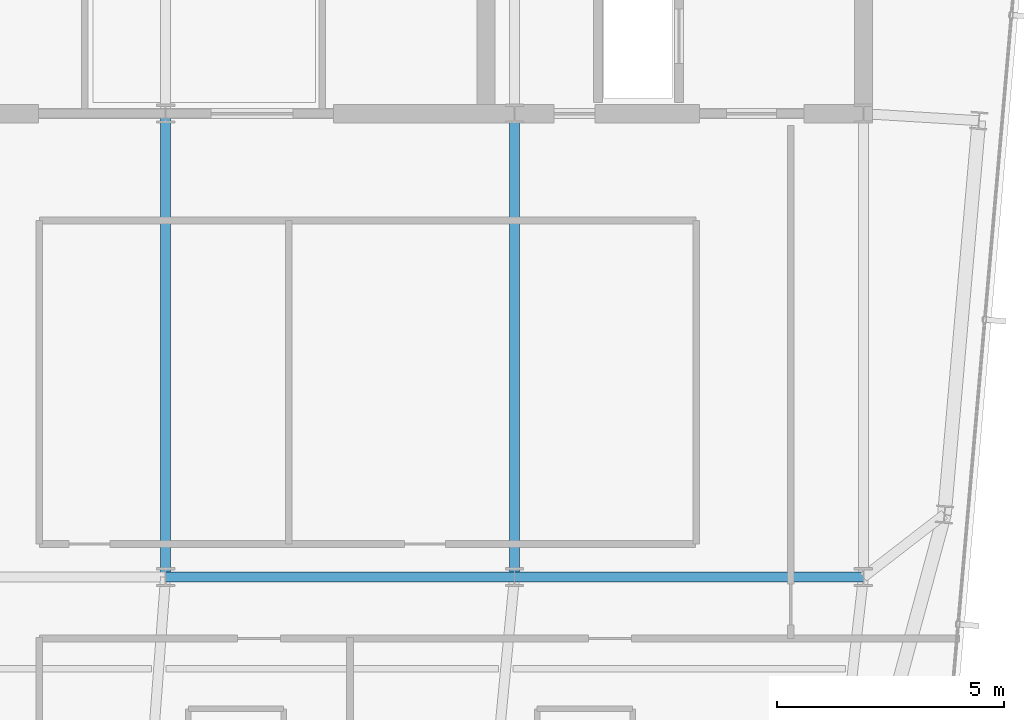
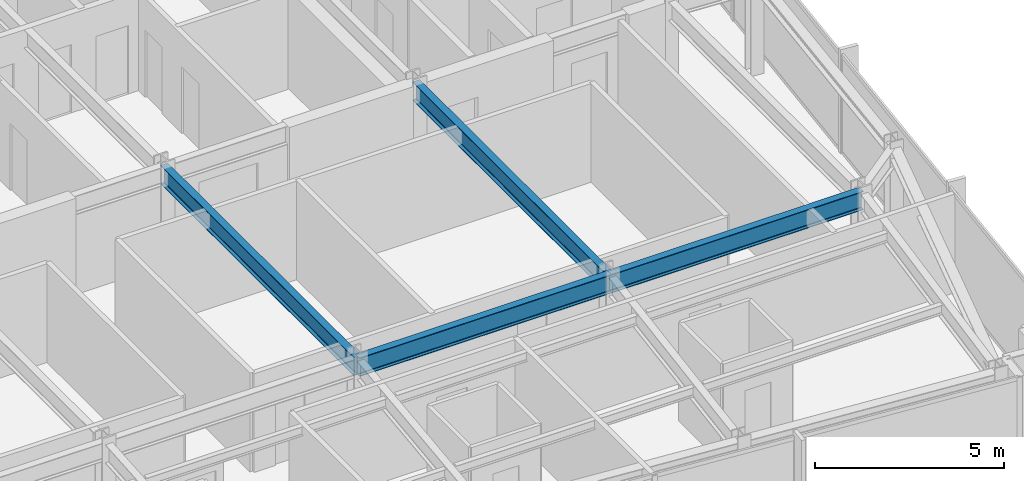
# One storey, part 15 of 33: 4 beams.
"""IFC4 building model written with IfcOpenShell, lengths in metres."""

import ifcopenshell
import ifcopenshell.guid

model = None  # the IFC model being written
_history = None  # IfcOwnerHistory: only IFC2X3 demands one
_inside = {}  # id of a spatial element -> (the spatial element, [elements in it])
_under = {}  # id of a project, library or spatial element -> (it, [spatial elements below it])
_declared = {}  # id of a project -> (the project, [libraries it declares])
_typed = {}  # id of a type object -> (the type object, [elements of that type])
_made_of = {}  # id of a material, layer set ... -> (it, [elements and type objects made of it])


def new_model(schema):
    """Start an empty IFC model of exactly this schema.

    Asked for "IFC4X3", IfcOpenShell would pick the latest addendum, in which some entities
    have other attributes; the version numbers below select the first issue.
    IFC2X3 requires an IfcOwnerHistory on every rooted entity: one is made here for all.
    """
    global model, _history
    if schema == "IFC4X3":
        model = ifcopenshell.file(schema_version=(4, 3, 0, 0))
    else:
        model = ifcopenshell.file(schema=schema)
    _inside.clear()
    _under.clear()
    _declared.clear()
    _typed.clear()
    _made_of.clear()
    _history = None
    if model.schema == "IFC2X3":
        org = make("IfcOrganization", Name="unknown")
        user = make(
            "IfcPersonAndOrganization",
            ThePerson=make("IfcPerson", FamilyName="unknown"),
            TheOrganization=org,
        )
        app = make(
            "IfcApplication",
            ApplicationDeveloper=org,
            Version="unknown",
            ApplicationFullName="unknown",
            ApplicationIdentifier="unknown",
        )
        _history = make(
            "IfcOwnerHistory",
            OwningUser=user,
            OwningApplication=app,
            ChangeAction="ADDED",
            CreationDate=0,
        )
    return model


def make(cls, **values):
    """One entity of the class cls with the attributes given. An attribute that is None is left unset."""
    return model.create_entity(
        cls, **{name: value for name, value in values.items() if value is not None}
    )


def rooted(cls, **values):
    """An entity with a GlobalId (a new one), such as an element, a storey or a relation."""
    return make(cls, GlobalId=ifcopenshell.guid.new(), OwnerHistory=_history, **values)


def si_unit(unit_type, name, prefix=None):
    """IfcSIUnit, for example si_unit("LENGTHUNIT", "METRE", prefix="MILLI")."""
    return make("IfcSIUnit", UnitType=unit_type, Prefix=prefix, Name=name)


def assignment(units):
    """IfcUnitAssignment: the units of a project."""
    return None if units is None else make("IfcUnitAssignment", Units=units)


def point(xyz):
    """IfcCartesianPoint."""
    return None if xyz is None else make("IfcCartesianPoint", Coordinates=xyz)


def direction(xyz):
    """IfcDirection."""
    return None if xyz is None else make("IfcDirection", DirectionRatios=xyz)


def frame(location, z_axis=None, x_axis=None):
    """IfcAxis2Placement3D, a coordinate frame: its origin and axes. An axis left out is left unset."""
    return make(
        "IfcAxis2Placement3D",
        Location=point(location),
        Axis=direction(z_axis),
        RefDirection=direction(x_axis),
    )


def frame_2d(location, x_axis=None):
    """IfcAxis2Placement2D, a coordinate frame in the plane: its origin and x axis."""
    return make(
        "IfcAxis2Placement2D", Location=point(location), RefDirection=direction(x_axis)
    )


def origin():
    """The frame at (0, 0, 0) with its axes left unset."""
    return frame((0.0, 0.0, 0.0))


def origin_2d():
    """The frame at (0, 0) in the plane with its x axis left unset."""
    return frame_2d((0.0, 0.0))


def place(relative_to, where):
    """IfcLocalPlacement: puts the frame where relative to a parent placement (None: the world)."""
    return make(
        "IfcLocalPlacement", PlacementRelTo=relative_to, RelativePlacement=where
    )


def context(
    kind, dimensions, precision=None, world=None, true_north=None, identifier=None
):
    """IfcGeometricRepresentationContext, for example the 3D "Model" context."""
    return make(
        "IfcGeometricRepresentationContext",
        ContextIdentifier=identifier,
        ContextType=kind,
        CoordinateSpaceDimension=dimensions,
        Precision=precision,
        WorldCoordinateSystem=world,
        TrueNorth=true_north,
    )


def subcontext(parent, identifier, kind, view, scale=None):
    """IfcGeometricRepresentationSubContext, for example "Body" below "Model"."""
    return make(
        "IfcGeometricRepresentationSubContext",
        ContextIdentifier=identifier,
        ContextType=kind,
        ParentContext=parent,
        TargetScale=scale,
        TargetView=view,
    )


def project(units=None, contexts=None):
    """IfcProject with its units and contexts."""
    return rooted(
        "IfcProject",
        Name="project",
        RepresentationContexts=contexts,
        UnitsInContext=assignment(units),
    )


def spatial(cls, under=None, at=None, **own):
    """A site, building, storey or space (cls), placed at a placement, below another one or the project."""
    s = rooted(cls, ObjectPlacement=at, **own)
    if under is not None:
        _under.setdefault(under.id(), (under, []))[1].append(s)
    return s


def profile(cls, at=None, kind="AREA", **sizes):
    """A parametric profile (cls). Its sizes go by their IFC names, for example OverallWidth=200.0."""
    return make(cls, ProfileType=kind, Position=at, **sizes)


def i_section(**sizes):
    """IfcIShapeProfileDef."""
    return profile("IfcIShapeProfileDef", **sizes)


def extrude(swept, where, along, depth):
    """IfcExtrudedAreaSolid: the profile swept, set in the frame where, extruded along a direction by depth."""
    return make(
        "IfcExtrudedAreaSolid",
        SweptArea=swept,
        Position=where,
        ExtrudedDirection=direction(along),
        Depth=depth,
    )


def shape(context_of_items, identifier, shape_type, items):
    """IfcShapeRepresentation: the items that make up one representation, for example the "Body"."""
    return make(
        "IfcShapeRepresentation",
        ContextOfItems=context_of_items,
        RepresentationIdentifier=identifier,
        RepresentationType=shape_type,
        Items=items,
    )


def material(Name=None, Category=None):
    """IfcMaterial."""
    return make("IfcMaterial", Name=Name, Category=Category)


def material_profile(
    of_material, cross_section, Name=None, Category=None, Priority=None
):
    """IfcMaterialProfile: a cross section and its material."""
    return make(
        "IfcMaterialProfile",
        Name=Name,
        Material=of_material,
        Profile=cross_section,
        Priority=Priority,
        Category=Category,
    )


def profile_set(profiles, Name=None, composite=None):
    """IfcMaterialProfileSet."""
    return make(
        "IfcMaterialProfileSet",
        Name=Name,
        MaterialProfiles=profiles,
        CompositeProfile=composite,
    )


def made_of(thing, what):
    """Note that an element or type object is made of a material, layer set ...; save() writes the relation."""
    if what is not None:
        _made_of.setdefault(what.id(), (what, []))[1].append(thing)
    return thing


def type_object(cls, material=None, **own):
    """A type object (cls), such as IfcWallType, which elements share."""
    return made_of(rooted(cls, **own), material)


def element(
    cls,
    number,
    at=None,
    inside=None,
    cuts=None,
    type_object=None,
    material=None,
    context=None,
    identifier="Body",
    shape_type=None,
    held_by="IfcProductDefinitionShape",
    body=None,
    shapes=None,
    **own,
):
    """One element of the class cls, such as IfcWall. Its Tag is "e" and its number.

    at: its placement. inside: the storey or other place that contains it. cuts: it is an
    opening in that element (IfcRelVoidsElement). A single representation is given by context,
    identifier, shape_type and body (its items); several are given by shapes. held_by: the class
    of the entity that holds the representations. save() writes the other relations.
    """
    e = rooted(cls, Tag="e%d" % number, ObjectPlacement=at, **own)
    if body is not None:
        shapes = [shape(context, identifier, shape_type, body)]
    if shapes is not None:
        e.Representation = make(held_by, Representations=shapes)
    if inside is not None:
        _inside.setdefault(inside.id(), (inside, []))[1].append(e)
    if cuts is not None:
        rooted(
            "IfcRelVoidsElement", RelatingBuildingElement=cuts, RelatedOpeningElement=e
        )
    if type_object is not None:
        _typed.setdefault(type_object.id(), (type_object, []))[1].append(e)
    return made_of(e, material)


def aggregate(whole, parts):
    """IfcRelAggregates: a whole, such as a stair, and the parts it consists of."""
    return rooted("IfcRelAggregates", RelatingObject=whole, RelatedObjects=parts)


def save(model, path):
    """Write the relations noted so far, then the file.

    IfcRelAggregates (storeys below a building ...), IfcRelContainedInSpatialStructure (elements
    in a storey), IfcRelDefinesByType, IfcRelAssociatesMaterial and IfcRelDeclares: one each for
    every whole, place, type object, material and project.
    """
    for whole, parts in _under.values():
        aggregate(whole, parts)
    for where, things in _inside.values():
        rooted(
            "IfcRelContainedInSpatialStructure",
            RelatedElements=things,
            RelatingStructure=where,
        )
    for kind, things in _typed.values():
        rooted("IfcRelDefinesByType", RelatedObjects=things, RelatingType=kind)
    for what, things in _made_of.values():
        rooted("IfcRelAssociatesMaterial", RelatedObjects=things, RelatingMaterial=what)
    for by, libraries in _declared.values():
        rooted("IfcRelDeclares", RelatingContext=by, RelatedDefinitions=libraries)
    model.write(path)


model = new_model("IFC4")

# Units and contexts
model_context = context("Model", 3, precision=1e-05, world=origin(), true_north=direction((0.0, 1.0)))
body_context = subcontext(model_context, "Body", "Model", "MODEL_VIEW")
ifc_project = project(units=[si_unit("LENGTHUNIT", "METRE"), si_unit("AREAUNIT", "SQUARE_METRE"), si_unit("VOLUMEUNIT", "CUBIC_METRE"), si_unit("PLANEANGLEUNIT", "RADIAN"), si_unit("MASSUNIT", "GRAM", prefix="KILO")], contexts=[model_context])

# Site, building, storey
site_placement = place(None, origin())
site = spatial("IfcSite", under=ifc_project, at=site_placement, CompositionType="ELEMENT")
building_placement = place(site_placement, origin())
building = spatial("IfcBuilding", under=site, at=building_placement, Name="Yelkora Congress Tower", CompositionType="ELEMENT")
storey_placement = place(building_placement, frame((0.0, 0.0, 282.89990234375)))
storey = spatial("IfcBuildingStorey", under=building, at=storey_placement, Name="L79", CompositionType="ELEMENT", Elevation=282.89990234375)

# Beams
ifc_material = material(Name="Steel S355J2", Category="steel")
ifc_material_profile = material_profile(ifc_material, i_section(OverallWidth=0.219970703125, OverallDepth=0.60009765625, WebThickness=0.011962890625, FlangeThickness=0.01904296875, FilletRadius=0.02392578125, at=origin_2d()), Name="IPE 600")
ifc_profile_set = profile_set([ifc_material_profile], Name="Steel S355J2")
beam_type = type_object("IfcBeamType", Name="BM-GIRD-IPE600", PredefinedType="BEAM", material=ifc_profile_set)
beam_1_placement = place(storey_placement, frame((38.39990234375, 25.199951171875, 2.880126953125), z_axis=(1.0, 0.0, 0.0), x_axis=(0.0, 1.0, 0.0)))
element("IfcBeam", 1, at=beam_1_placement, inside=storey, type_object=beam_type, Name="L79 Spine Grid D Girder 3", PredefinedType="BEAM", context=body_context, shape_type="SweptSolid", body=[
    extrude(i_section(OverallWidth=0.219970703125, OverallDepth=0.60009765625, WebThickness=0.011962890625, FlangeThickness=0.01904296875, FilletRadius=0.02392578125, at=origin_2d()), origin(), (0.0, 0.0, 1.0), 7.68017578125),
])
beam_2_placement = place(storey_placement, frame((46.080078125, 25.199951171875, 2.880126953125), z_axis=(1.0, 0.0, 0.0), x_axis=(0.0, 1.0, 0.0)))
element("IfcBeam", 2, at=beam_2_placement, inside=storey, type_object=beam_type, Name="L79 Spine Grid D Girder 4", PredefinedType="BEAM", context=body_context, shape_type="SweptSolid", body=[
    extrude(i_section(OverallWidth=0.219970703125, OverallDepth=0.60009765625, WebThickness=0.011962890625, FlangeThickness=0.01904296875, FilletRadius=0.02392578125, at=origin_2d()), origin(), (0.0, 0.0, 1.0), 7.679931640625),
])
for number, where, z_axis, x_axis, name in (
    (3, (38.39990234375, 25.199951171875, 2.880126953125), (0.0, 1.0, 0.0), (-1.0, 0.0, 0.0), "L79 Core Tie Girder MC-D3"),
    (4, (46.080078125, 25.199951171875, 2.880126953125), (0.0, 1.0, 0.0), (-1.0, 0.0, 0.0), "L79 Core Tie Girder MC-D4"),
):
    element("IfcBeam", number, at=place(storey_placement, frame(where, z_axis=z_axis, x_axis=x_axis)), inside=storey, type_object=beam_type, Name=name, PredefinedType="BEAM", context=body_context, shape_type="SweptSolid", body=[
        extrude(i_section(OverallWidth=0.219970703125, OverallDepth=0.60009765625, WebThickness=0.011962890625, FlangeThickness=0.01904296875, FilletRadius=0.02392578125, at=origin_2d()), origin(), (0.0, 0.0, 1.0), 10.199951171875),
    ])

save(model, "model.ifc")
